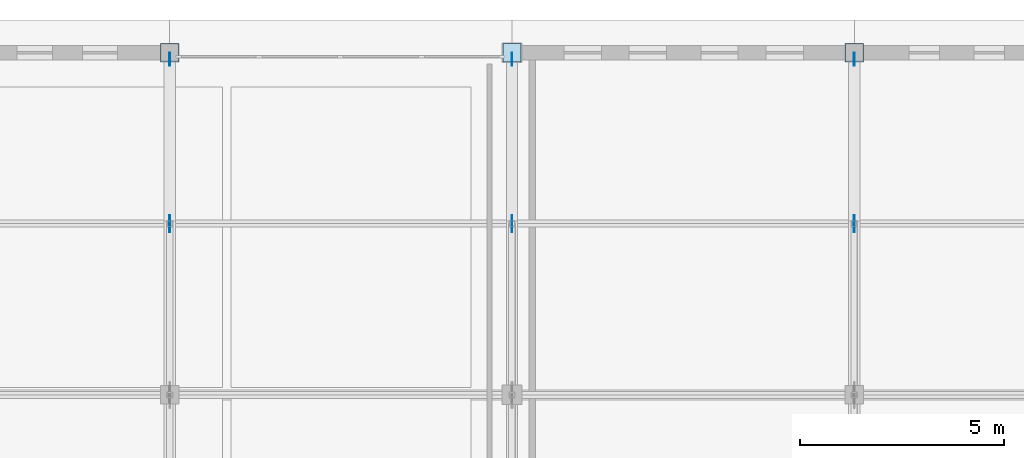
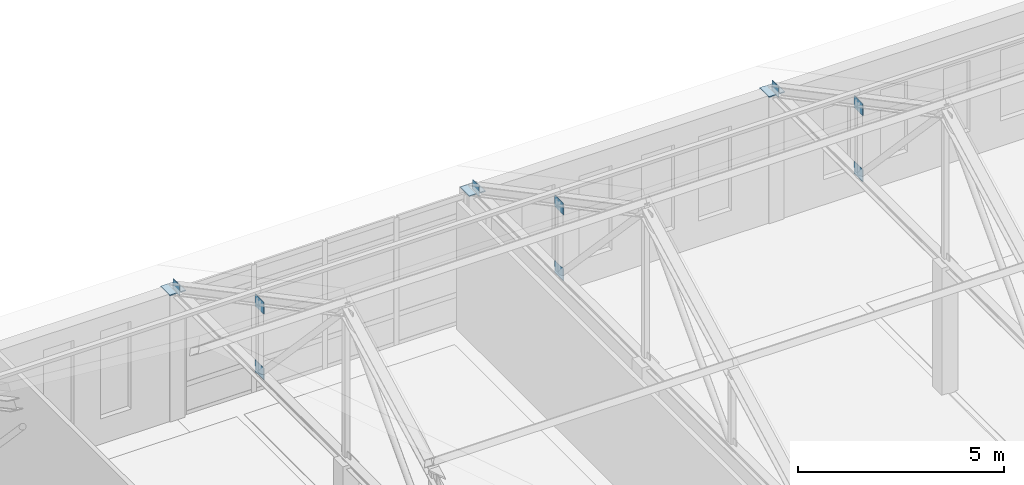
# One storey, part 39 of 56: 12 plates.
"""IFC4 building model written with IfcOpenShell, lengths in metres."""

from ifc_helpers import new_model, si_unit, direction, frame, origin, origin_2d, place, context, subcontext, project, spatial, rectangle, extrude, material, layer, layer_set, type_object, element, save


model = new_model("IFC4")

# Units and contexts
model_context = context("Model", 3, precision=1e-05, world=origin(), true_north=direction((0.0, 1.0)))
body_context = subcontext(model_context, "Body", "Model", "MODEL_VIEW")
ifc_project = project(units=[si_unit("LENGTHUNIT", "METRE"), si_unit("AREAUNIT", "SQUARE_METRE"), si_unit("VOLUMEUNIT", "CUBIC_METRE"), si_unit("PLANEANGLEUNIT", "RADIAN"), si_unit("MASSUNIT", "GRAM", prefix="KILO")], contexts=[model_context])

# Site, building, storey
site_placement = place(None, origin())
site = spatial("IfcSite", under=ifc_project, at=site_placement, CompositionType="ELEMENT")
building_placement = place(site_placement, origin())
building = spatial("IfcBuilding", under=site, at=building_placement, Name="Kveldsbrygga Polytechnic", CompositionType="ELEMENT")
storey_placement = place(building_placement, frame((0.0, 0.0, 18.02001953125)))
storey = spatial("IfcBuildingStorey", under=building, at=storey_placement, Name="L04", CompositionType="ELEMENT", Elevation=18.02001953125)

# Plates
ifc_material = material(Name="Steel S355", Category="steel")
ifc_layer_1 = layer(ifc_material, 0.030029296875)
ifc_layer_set_1 = layer_set([ifc_layer_1], Name="Steel S355")
plate_type_1 = type_object("IfcPlateType", Name="CAP-BEAR-450", PredefinedType="SHEET", material=ifc_layer_set_1)
for number, where, z_axis, x_axis, name in (
    (1, (142.800048828125, 117.60009765625, 3.75), (0.0, 0.0, 1.0), (1.0, 0.0, 0.0), "Truss Bearing Plate V4N5-T03-B"),
    (2, (151.199951171875, 117.60009765625, 3.75), (0.0, 0.0, 1.0), (1.0, 0.0, 0.0), "Truss Bearing Plate V4N5-T04-B"),
    (3, (159.60009765625, 117.60009765625, 3.75), (0.0, 0.0, 1.0), (1.0, 0.0, 0.0), "Truss Bearing Plate V4N5-T05-B"),
):
    element("IfcPlate", number, at=place(storey_placement, frame(where, z_axis=z_axis, x_axis=x_axis)), inside=storey, type_object=plate_type_1, Name=name, PredefinedType="SHEET", context=body_context, shape_type="SweptSolid", body=[
        extrude(rectangle(XDim=0.449951171875, YDim=0.449951171875, at=origin_2d()), origin(), (0.0, 0.0, 1.0), 0.030029296875),
    ])
ifc_layer_2 = layer(ifc_material, 0.01806640625)
ifc_layer_set_2 = layer_set([ifc_layer_2], Name="Steel S355")
plate_type_2 = type_object("IfcPlateType", Name="GUS-BRACE-320", PredefinedType="SHEET", material=ifc_layer_set_2)
for number, where, z_axis, x_axis, name in (
    (4, (142.800048828125, 117.43994140625, 3.73974609375), (0.0, 0.0, 1.0), (1.0, 0.0, 0.0), "Truss Eaves Node Gusset V4N5-T03-EGP-B"),
    (5, (151.199951171875, 117.43994140625, 3.73974609375), (0.0, 0.0, 1.0), (1.0, 0.0, 0.0), "Truss Eaves Node Gusset V4N5-T04-EGP-B"),
    (6, (159.60009765625, 117.43994140625, 3.73974609375), (0.0, 0.0, 1.0), (1.0, 0.0, 0.0), "Truss Eaves Node Gusset V4N5-T05-EGP-B"),
):
    element("IfcPlate", number, at=place(storey_placement, frame(where, z_axis=z_axis, x_axis=x_axis)), inside=storey, type_object=plate_type_2, Name=name, PredefinedType="SHEET", context=body_context, shape_type="SweptSolid", body=[
        extrude(rectangle(XDim=0.01806640625, YDim=0.320068359375, at=origin_2d()), origin(), (0.0, 0.0, 1.0), 0.320068359375),
    ])
ifc_layer_3 = layer(ifc_material, 0.02001953125)
ifc_layer_set_3 = layer_set([ifc_layer_3], Name="Steel S355")
plate_type_3 = type_object("IfcPlateType", Name="GUS-LECT-420", PredefinedType="SHEET", material=ifc_layer_set_3)
for number, where, z_axis, x_axis, name in (
    (7, (142.800048828125, 113.39990234375, 5.679931640625), (0.0, 0.0, 1.0), (1.0, 0.0, 0.0), "Truss Gusset Plate V4N5-T03-GP-3"),
    (8, (142.800048828125, 113.39990234375, 3.724853515625), (0.0, 0.0, 1.0), (1.0, 0.0, 0.0), "Truss Bottom-Chord Node Gusset V4N5-T03-BGP-3"),
    (9, (151.199951171875, 113.39990234375, 5.679931640625), (0.0, 0.0, 1.0), (1.0, 0.0, 0.0), "Truss Gusset Plate V4N5-T04-GP-3"),
    (10, (151.199951171875, 113.39990234375, 3.724853515625), (0.0, 0.0, 1.0), (1.0, 0.0, 0.0), "Truss Bottom-Chord Node Gusset V4N5-T04-BGP-3"),
    (11, (159.60009765625, 113.39990234375, 5.679931640625), (0.0, 0.0, 1.0), (1.0, 0.0, 0.0), "Truss Gusset Plate V4N5-T05-GP-3"),
    (12, (159.60009765625, 113.39990234375, 3.724853515625), (0.0, 0.0, 1.0), (1.0, 0.0, 0.0), "Truss Bottom-Chord Node Gusset V4N5-T05-BGP-3"),
):
    element("IfcPlate", number, at=place(storey_placement, frame(where, z_axis=z_axis, x_axis=x_axis)), inside=storey, type_object=plate_type_3, Name=name, PredefinedType="SHEET", context=body_context, shape_type="SweptSolid", body=[
        extrude(rectangle(XDim=0.02001953125, YDim=0.419921875, at=origin_2d()), origin(), (0.0, 0.0, 1.0), 0.35009765625),
    ])

save(model, "model.ifc")
